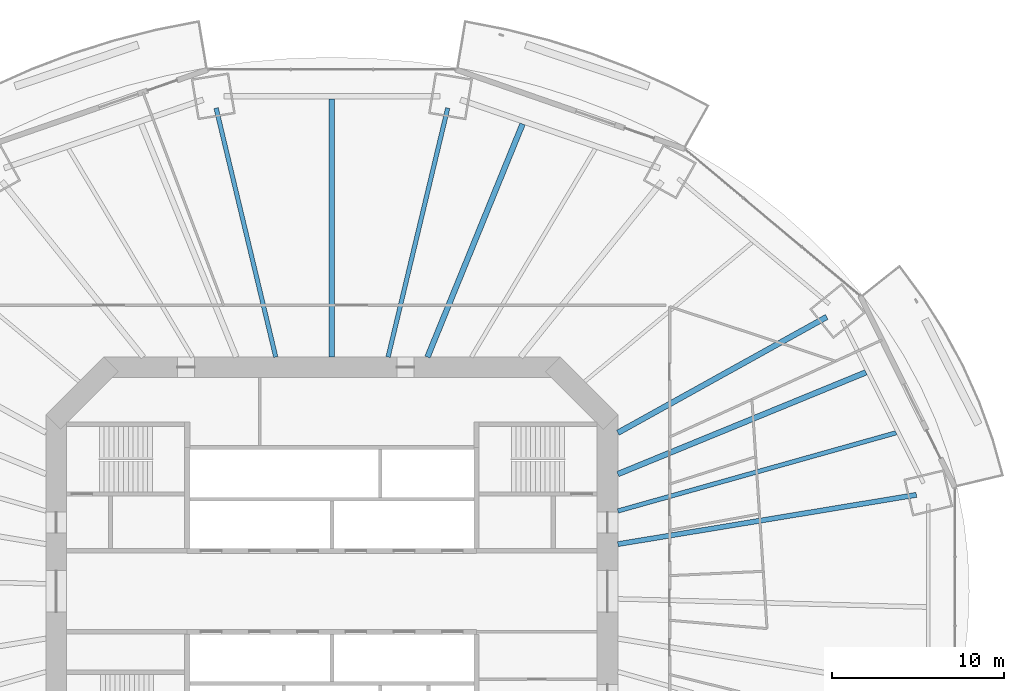
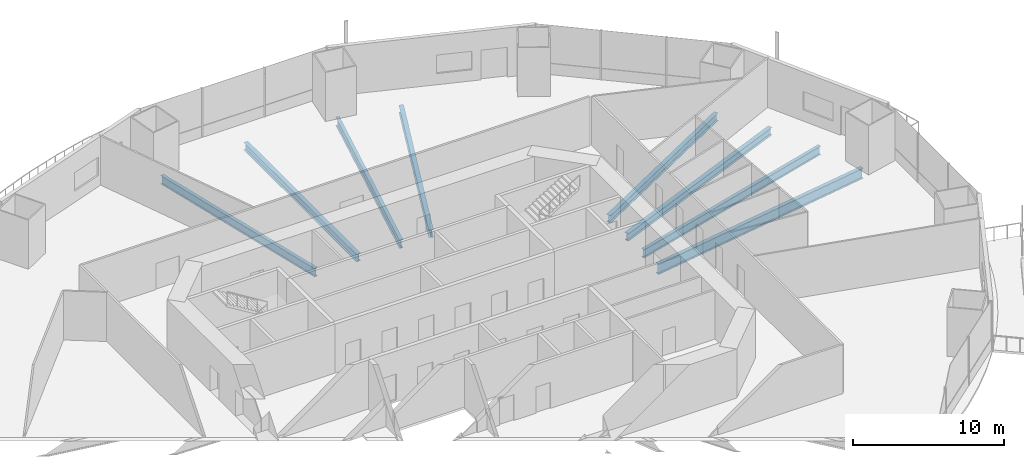
# One storey, part 8 of 23: 8 beams.
"""IFC4 building model written with IfcOpenShell, lengths in metres."""

from ifc_helpers import new_model, si_unit, direction, frame, origin, origin_2d, place, context, subcontext, project, spatial, i_section, extrude, material, material_profile, profile_set, type_object, element, save


model = new_model("IFC4")

# Units and contexts
model_context = context("Model", 3, precision=1e-05, world=origin(), true_north=direction((0.0, 1.0)))
body_context = subcontext(model_context, "Body", "Model", "MODEL_VIEW")
ifc_project = project(units=[si_unit("LENGTHUNIT", "METRE"), si_unit("AREAUNIT", "SQUARE_METRE"), si_unit("VOLUMEUNIT", "CUBIC_METRE"), si_unit("PLANEANGLEUNIT", "RADIAN"), si_unit("MASSUNIT", "GRAM", prefix="KILO")], contexts=[model_context])

# Site, building, storey
site_placement = place(None, origin())
site = spatial("IfcSite", under=ifc_project, at=site_placement, CompositionType="ELEMENT")
building_placement = place(site_placement, origin())
building = spatial("IfcBuilding", under=site, at=building_placement, Name="Marenthal Gate Tower", CompositionType="ELEMENT")
storey_placement = place(building_placement, frame((0.0, 0.0, 41.300048828125)))
storey = spatial("IfcBuildingStorey", under=building, at=storey_placement, Name="L06", CompositionType="ELEMENT", Elevation=41.300048828125)

# Beams
ifc_material_1 = material(Name="Steel S355", Category="steel")
ifc_material_profile_1 = material_profile(ifc_material_1, i_section(OverallWidth=0.324951171875, OverallDepth=0.612060546875, WebThickness=0.0126953125, FlangeThickness=0.01904296875, FilletRadius=0.0126953125, at=origin_2d()), Name="W610X155")
ifc_profile_set_1 = profile_set([ifc_material_profile_1], Name="Steel S355")
beam_type_1 = type_object("IfcBeamType", Name="W610X155 beam", PredefinedType="BEAM", material=ifc_profile_set_1)
beam_1_placement = place(storey_placement, frame((28.72314453125, 15.929931640625, -0.486083984375), z_axis=(-0.874513423091, -0.485001312198, 0.0), x_axis=(0.485001312198, -0.874513423091, 0.0)))
element("IfcBeam", 1, at=beam_1_placement, inside=storey, type_object=beam_type_1, Name="BM-L06-02", PredefinedType="BEAM", context=body_context, shape_type="SweptSolid", body=[
    extrude(i_section(OverallWidth=0.324951171875, OverallDepth=0.612060546875, WebThickness=0.0126953125, FlangeThickness=0.01904296875, FilletRadius=0.0126953125, at=origin_2d()), origin(), (0.0, 0.0, 1.0), 13.862548828125),
])
beam_2_placement = place(storey_placement, frame((31.001708984375, 12.7138671875, -0.486083984375), z_axis=(-0.925221568218, -0.379427265367, 0.0), x_axis=(0.379427265367, -0.925221568218, 0.0)))
element("IfcBeam", 2, at=beam_2_placement, inside=storey, type_object=beam_type_1, Name="BM-L06-18", PredefinedType="BEAM", context=body_context, shape_type="SweptSolid", body=[
    extrude(i_section(OverallWidth=0.324951171875, OverallDepth=0.612060546875, WebThickness=0.0126953125, FlangeThickness=0.01904296875, FilletRadius=0.0126953125, at=origin_2d()), origin(), (0.0, 0.0, 1.0), 15.565673828125),
])
beam_3_placement = place(storey_placement, frame((11.06689453125, 27.1279296875, -0.486083984375), z_axis=(-0.377734751458, -0.925913849956, 0.0), x_axis=(0.925913849956, -0.377734751458, 0.0)))
element("IfcBeam", 3, at=beam_3_placement, inside=storey, type_object=beam_type_1, Name="BM-L06-21", PredefinedType="BEAM", context=body_context, shape_type="SweptSolid", body=[
    extrude(i_section(OverallWidth=0.324951171875, OverallDepth=0.612060546875, WebThickness=0.0126953125, FlangeThickness=0.01904296875, FilletRadius=0.0126953125, at=origin_2d()), origin(), (0.0, 0.0, 1.0), 14.6103515625),
])
beam_4_placement = place(storey_placement, frame((0.0, 28.574462890625, -0.486083984375), z_axis=(0.0, -1.0, 0.0), x_axis=(1.0, 0.0, 0.0)))
element("IfcBeam", 4, at=beam_4_placement, inside=storey, type_object=beam_type_1, Name="BM-L06-22", PredefinedType="BEAM", context=body_context, shape_type="SweptSolid", body=[
    extrude(i_section(OverallWidth=0.324951171875, OverallDepth=0.612060546875, WebThickness=0.0126953125, FlangeThickness=0.01904296875, FilletRadius=0.0126953125, at=origin_2d()), origin(), (0.0, 0.0, 1.0), 14.974365234375),
])
ifc_material_2 = material(Name="Steel S355", Category="steel")
ifc_material_profile_2 = material_profile(ifc_material_2, i_section(OverallWidth=0.257080078125, OverallDepth=0.693115234375, WebThickness=0.014404296875, FlangeThickness=0.023681640625, FilletRadius=0.015380859375, at=origin_2d()), Name="W690X170")
ifc_profile_set_2 = profile_set([ifc_material_profile_2], Name="Steel S355")
beam_type_2 = type_object("IfcBeamType", Name="W690X170 beam", PredefinedType="BEAM", material=ifc_profile_set_2)
for number, where, z_axis, x_axis, name in (
    (5, (6.722900390625, 28.05322265625, -0.526611328125), (-0.233046764578, -0.972465529219, 0.0), (0.972465529219, -0.233046764578, 0.0), "BM-L06-04"),
    (6, (-6.722900390625, 28.05322265625, -0.526611328125), (0.233046764578, -0.972465529219, 0.0), (0.972465529219, 0.233046764578, 0.0), "BM-L06-05"),
):
    element("IfcBeam", number, at=place(storey_placement, frame(where, z_axis=z_axis, x_axis=x_axis)), inside=storey, type_object=beam_type_2, Name=name, PredefinedType="BEAM", context=body_context, shape_type="SweptSolid", body=[
        extrude(i_section(OverallWidth=0.257080078125, OverallDepth=0.693115234375, WebThickness=0.014404296875, FlangeThickness=0.023681640625, FilletRadius=0.015380859375, at=origin_2d()), origin(), (0.0, 0.0, 1.0), 14.8623046875),
    ])
beam_5_placement = place(storey_placement, frame((32.75244140625, 9.205322265625, -0.526611328125), z_axis=(-0.962698331576, -0.270577017467, 0.0), x_axis=(0.270577017467, -0.962698331576, 0.0)))
element("IfcBeam", 7, at=beam_5_placement, inside=storey, type_object=beam_type_2, Name="BM-L06-17", PredefinedType="BEAM", context=body_context, shape_type="SweptSolid", body=[
    extrude(i_section(OverallWidth=0.257080078125, OverallDepth=0.693115234375, WebThickness=0.014404296875, FlangeThickness=0.023681640625, FilletRadius=0.015380859375, at=origin_2d()), origin(), (0.0, 0.0, 1.0), 16.7783203125),
])
ifc_material_3 = material(Name="Steel S355", Category="steel")
ifc_material_profile_3 = material_profile(ifc_material_3, i_section(OverallWidth=0.2919921875, OverallDepth=0.841064453125, WebThickness=0.0146484375, FlangeThickness=0.021728515625, FilletRadius=0.017822265625, at=origin_2d()), Name="W840X193")
ifc_profile_set_3 = profile_set([ifc_material_profile_3], Name="Steel S355")
beam_type_3 = type_object("IfcBeamType", Name="W840X193 beam", PredefinedType="BEAM", material=ifc_profile_set_3)
beam_6_placement = place(storey_placement, frame((33.927978515625, 5.6015625, -0.6005859375), z_axis=(-0.986643376601, -0.162895203762, 0.0), x_axis=(0.162895203762, -0.986643376601, 0.0)))
element("IfcBeam", 8, at=beam_6_placement, inside=storey, type_object=beam_type_3, Name="BM-L06-01", PredefinedType="BEAM", context=body_context, shape_type="SweptSolid", body=[
    extrude(i_section(OverallWidth=0.2919921875, OverallDepth=0.841064453125, WebThickness=0.0146484375, FlangeThickness=0.021728515625, FilletRadius=0.017822265625, at=origin_2d()), origin(), (0.0, 0.0, 1.0), 17.5625),
])

save(model, "model.ifc")
